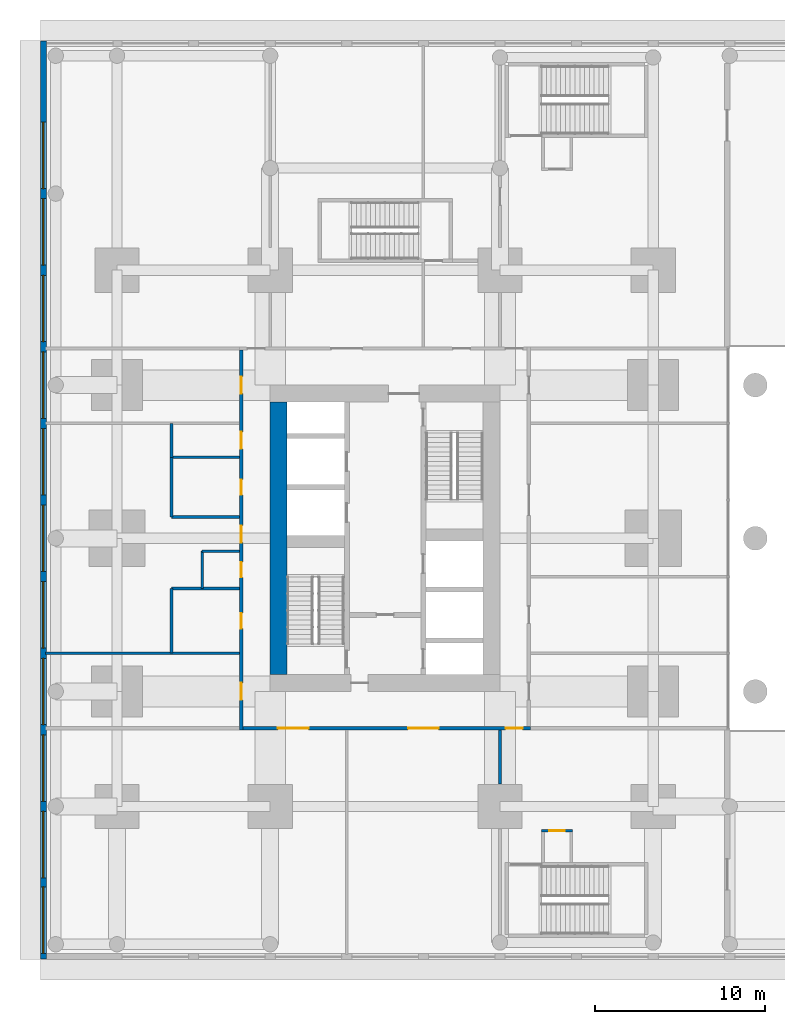
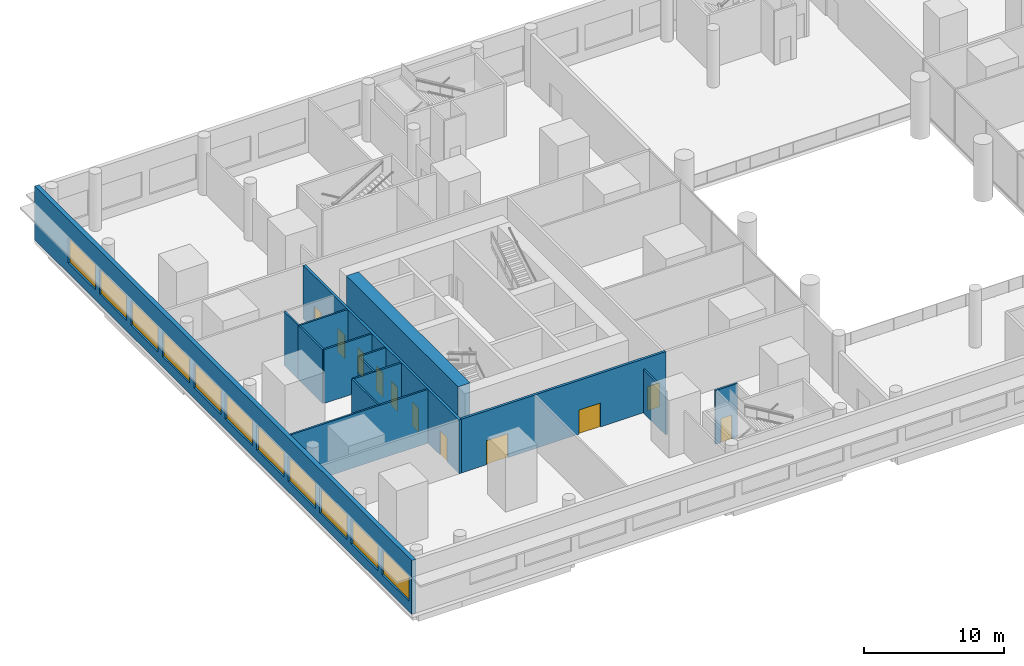
# One storey, part 10 of 22: 15 walls, 11 doors, 11 windows, 22 openings.
"""IFC4 building model written with IfcOpenShell, lengths in metres."""

from ifc_helpers import new_model, si_unit, direction, frame, frame_2d, origin, place, context, subcontext, project, spatial, rectangle, extrude, material, layer, layer_set, type_object, element, fill, save


model = new_model("IFC4")

# Units and contexts
model_context = context("Model", 3, precision=1e-05, world=origin(), true_north=direction((0.0, 1.0)))
body_context = subcontext(model_context, "Body", "Model", "MODEL_VIEW")
ifc_project = project(units=[si_unit("LENGTHUNIT", "METRE"), si_unit("AREAUNIT", "SQUARE_METRE"), si_unit("VOLUMEUNIT", "CUBIC_METRE"), si_unit("PLANEANGLEUNIT", "RADIAN"), si_unit("MASSUNIT", "GRAM", prefix="KILO")], contexts=[model_context])

# Site, building, storey
site_placement = place(None, origin())
site = spatial("IfcSite", under=ifc_project, at=site_placement, CompositionType="ELEMENT")
building_placement = place(site_placement, origin())
building = spatial("IfcBuilding", under=site, at=building_placement, Name="Namib Vertical Campus", CompositionType="ELEMENT")
storey_placement = place(building_placement, frame((0.0, 0.0, 11.0)))
storey = spatial("IfcBuildingStorey", under=building, at=storey_placement, Name="L02", CompositionType="ELEMENT", Elevation=11.0)

# Wall
ifc_material_1 = material(Name="Concrete C60/75", Category="concrete")
ifc_layer_1 = layer(ifc_material_1, 1.0)
ifc_layer_set_1 = layer_set([ifc_layer_1], Name="Concrete C60/75")
wall_type_1 = type_object("IfcWallType", Name="Core wall 1000", PredefinedType="SHEAR", material=ifc_layer_set_1)
wall_1_placement = place(storey_placement, frame((14.0, 28.25, 0.0), z_axis=(0.0, 0.0, 1.0), x_axis=(0.0, -1.0, 0.0)))
element("IfcWall", 1, at=wall_1_placement, inside=storey, type_object=wall_type_1, Name="Core wall A L02 4", PredefinedType="SHEAR", context=body_context, shape_type="SweptSolid", body=[
    extrude(rectangle(XDim=16.0, YDim=1.0, at=frame_2d((8.0, 0.0))), origin(), (0.0, 0.0, 1.0), 5.0),
])

# Wall, openings, doors
ifc_material_2 = material(Name="Concrete masonry", Category="masonry")
ifc_layer_2 = layer(ifc_material_2, 0.199951171875)
ifc_layer_set_2 = layer_set([ifc_layer_2], Name="Corridor wall 200")
wall_type_2 = type_object("IfcWallType", Name="Corridor wall 200", PredefinedType="SOLIDWALL", material=ifc_layer_set_2)
wall_2_placement = place(storey_placement, frame((11.89990234375, 9.10009765625, 0.0), z_axis=(0.0, 0.0, 1.0), x_axis=(1.0, 0.0, 0.0)))
wall_2 = element("IfcWall", 2, at=wall_2_placement, inside=storey, type_object=wall_type_2, Name="Corridor wall A L02 CS", PredefinedType="SOLIDWALL", context=body_context, shape_type="SweptSolid", body=[
    extrude(rectangle(XDim=16.900146484375, YDim=0.199951171875, at=frame_2d((8.4501953125, 0.0))), origin(), (0.0, 0.0, 1.0), 4.699951171875),
])
opening_1_placement = place(wall_2_placement, frame((2.050048828125, 0.0, 0.0)))
opening_1 = element("IfcOpeningElement", 3, at=opening_1_placement, cuts=wall_2, Name="Opening CD2", PredefinedType="OPENING", context=body_context, shape_type="SweptSolid", body=[
    extrude(rectangle(XDim=1.800048828125, YDim=2.10009765625, at=frame_2d((0.89990234375, 1.050048828125))), frame((0.0, 0.10986328125, 0.0), z_axis=(0.0, -1.0, 0.0), x_axis=(1.0, 0.0, 0.0)), (0.0, 0.0, 1.0), 0.219970703125),
])
opening_2_placement = place(wall_2_placement, frame((9.699951171875, 0.0, 0.0)))
opening_2 = element("IfcOpeningElement", 4, at=opening_2_placement, cuts=wall_2, Name="Opening CD2", PredefinedType="OPENING", context=body_context, shape_type="SweptSolid", body=[
    extrude(rectangle(XDim=1.800048828125, YDim=2.10009765625, at=frame_2d((0.89990234375, 1.050048828125))), frame((0.0, 0.10986328125, 0.0), z_axis=(0.0, -1.0, 0.0), x_axis=(1.0, 0.0, 0.0)), (0.0, 0.0, 1.0), 0.219970703125),
])
opening_3_placement = place(wall_2_placement, frame((15.425048828125, 0.0, 0.0)))
opening_3 = element("IfcOpeningElement", 5, at=opening_3_placement, cuts=wall_2, Name="Opening CD1", PredefinedType="OPENING", context=body_context, shape_type="SweptSolid", body=[
    extrude(rectangle(XDim=1.0, YDim=2.10009765625, at=frame_2d((0.5, 1.050048828125))), frame((0.0, 0.10986328125, 0.0), z_axis=(0.0, -1.0, 0.0), x_axis=(1.0, 0.0, 0.0)), (0.0, 0.0, 1.0), 0.219970703125),
])
ifc_material_3 = material(Name="Timber fire door leaf", Category="wood")
door_type_1 = type_object("IfcDoorType", Name="Corridor door 1000x2100 20 min", OperationType="SINGLE_SWING_LEFT", PredefinedType="DOOR", material=ifc_material_3)
door_1_placement = place(opening_3_placement, frame((1.0, 0.0, 0.0), z_axis=(0.0, 0.0, 1.0), x_axis=(-1.0, 0.0, 0.0)))
door_1 = element("IfcDoor", 6, at=door_1_placement, inside=storey, type_object=door_type_1, Name="Door CD1 A02-03", OperationType="SINGLE_SWING_RIGHT", OverallHeight=2.10009765625, OverallWidth=1.0, PredefinedType="DOOR", context=body_context, shape_type="SweptSolid", body=[
    extrude(rectangle(XDim=1.0, YDim=2.10009765625, at=frame_2d((0.5, 1.050048828125))), frame((0.0, 0.02490234375, 0.0), z_axis=(0.0, -1.0, 0.0), x_axis=(1.0, 0.0, 0.0)), (0.0, 0.0, 1.0), 0.050048828125),
])
fill(opening_3, door_1)
ifc_material_4 = material(Name="Timber fire door leaf", Category="wood")
door_type_2 = type_object("IfcDoorType", Name="Corridor door double 1800x2100 20 min", OperationType="DOUBLE_DOOR_SINGLE_SWING", PredefinedType="DOOR", material=ifc_material_4)
door_2_placement = place(opening_1_placement, frame((1.800048828125, 0.0, 0.0), z_axis=(0.0, 0.0, 1.0), x_axis=(-1.0, 0.0, 0.0)))
door_2 = element("IfcDoor", 7, at=door_2_placement, inside=storey, type_object=door_type_2, Name="Door CD2 A02-01", OperationType="DOUBLE_DOOR_SINGLE_SWING", OverallHeight=2.10009765625, OverallWidth=1.800048828125, PredefinedType="DOOR", context=body_context, shape_type="SweptSolid", body=[
    extrude(rectangle(XDim=1.800048828125, YDim=2.10009765625, at=frame_2d((0.89990234375, 1.050048828125))), frame((0.0, 0.02490234375, 0.0), z_axis=(0.0, -1.0, 0.0), x_axis=(1.0, 0.0, 0.0)), (0.0, 0.0, 1.0), 0.050048828125),
])
fill(opening_1, door_2)
door_3_placement = place(opening_2_placement, frame((1.800048828125, 0.0, 0.0), z_axis=(0.0, 0.0, 1.0), x_axis=(-1.0, 0.0, 0.0)))
door_3 = element("IfcDoor", 8, at=door_3_placement, inside=storey, type_object=door_type_2, Name="Door CD2 A02-02", OperationType="DOUBLE_DOOR_SINGLE_SWING", OverallHeight=2.10009765625, OverallWidth=1.800048828125, PredefinedType="DOOR", context=body_context, shape_type="SweptSolid", body=[
    extrude(rectangle(XDim=1.800048828125, YDim=2.10009765625, at=frame_2d((0.89990234375, 1.050048828125))), frame((0.0, 0.02490234375, 0.0), z_axis=(0.0, -1.0, 0.0), x_axis=(1.0, 0.0, 0.0)), (0.0, 0.0, 1.0), 0.050048828125),
])
fill(opening_2, door_3)

wall_3_placement = place(storey_placement, frame((11.800048828125, 31.300048828125, 0.0), z_axis=(0.0, 0.0, 1.0), x_axis=(0.0, -1.0, 0.0)))
wall_3 = element("IfcWall", 9, at=wall_3_placement, inside=storey, type_object=wall_type_2, Name="Corridor wall A L02 CW", PredefinedType="SOLIDWALL", context=body_context, shape_type="SweptSolid", body=[
    extrude(rectangle(XDim=22.300048828125, YDim=0.199951171875, at=frame_2d((11.14990234375, 0.0))), origin(), (0.0, 0.0, 1.0), 4.699951171875),
])
opening_4_placement = place(wall_3_placement, frame((19.550048828125, 0.0, 0.0)))
opening_4 = element("IfcOpeningElement", 10, at=opening_4_placement, cuts=wall_3, Name="Opening CD1", PredefinedType="OPENING", context=body_context, shape_type="SweptSolid", body=[
    extrude(rectangle(XDim=1.0, YDim=2.10009765625, at=frame_2d((0.5, 1.050048828125))), frame((0.0, 0.10986328125, 0.0), z_axis=(0.0, -1.0, 0.0), x_axis=(1.0, 0.0, 0.0)), (0.0, 0.0, 1.0), 0.219970703125),
])
opening_5_placement = place(wall_3_placement, frame((15.449951171875, 0.0, 0.0)))
opening_5 = element("IfcOpeningElement", 11, at=opening_5_placement, cuts=wall_3, Name="Opening CD3", PredefinedType="OPENING", context=body_context, shape_type="SweptSolid", body=[
    extrude(rectangle(XDim=0.89990234375, YDim=2.10009765625, at=frame_2d((0.449951171875, 1.050048828125))), frame((0.0, 0.10986328125, 0.0), z_axis=(0.0, -1.0, 0.0), x_axis=(1.0, 0.0, 0.0)), (0.0, 0.0, 1.0), 0.219970703125),
])
opening_6_placement = place(wall_3_placement, frame((12.449951171875, 0.0, 0.0)))
opening_6 = element("IfcOpeningElement", 12, at=opening_6_placement, cuts=wall_3, Name="Opening CD3", PredefinedType="OPENING", context=body_context, shape_type="SweptSolid", body=[
    extrude(rectangle(XDim=0.89990234375, YDim=2.10009765625, at=frame_2d((0.449951171875, 1.050048828125))), frame((0.0, 0.10986328125, 0.0), z_axis=(0.0, -1.0, 0.0), x_axis=(1.0, 0.0, 0.0)), (0.0, 0.0, 1.0), 0.219970703125),
])
opening_7_placement = place(wall_3_placement, frame((7.60009765625, 0.0, 0.0)))
opening_7 = element("IfcOpeningElement", 13, at=opening_7_placement, cuts=wall_3, Name="Opening CD3", PredefinedType="OPENING", context=body_context, shape_type="SweptSolid", body=[
    extrude(rectangle(XDim=0.89990234375, YDim=2.10009765625, at=frame_2d((0.449951171875, 1.050048828125))), frame((0.0, 0.10986328125, 0.0), z_axis=(0.0, -1.0, 0.0), x_axis=(1.0, 0.0, 0.0)), (0.0, 0.0, 1.0), 0.219970703125),
])
opening_8_placement = place(wall_3_placement, frame((4.800048828125, 0.0, 0.0)))
opening_8 = element("IfcOpeningElement", 14, at=opening_8_placement, cuts=wall_3, Name="Opening CD1", PredefinedType="OPENING", context=body_context, shape_type="SweptSolid", body=[
    extrude(rectangle(XDim=1.0, YDim=2.10009765625, at=frame_2d((0.5, 1.050048828125))), frame((0.0, 0.10986328125, 0.0), z_axis=(0.0, -1.0, 0.0), x_axis=(1.0, 0.0, 0.0)), (0.0, 0.0, 1.0), 0.219970703125),
])
opening_9_placement = place(wall_3_placement, frame((10.300048828125, 0.0, 0.0)))
opening_9 = element("IfcOpeningElement", 15, at=opening_9_placement, cuts=wall_3, Name="Opening CD1", PredefinedType="OPENING", context=body_context, shape_type="SweptSolid", body=[
    extrude(rectangle(XDim=1.0, YDim=2.10009765625, at=frame_2d((0.5, 1.050048828125))), frame((0.0, 0.10986328125, 0.0), z_axis=(0.0, -1.0, 0.0), x_axis=(1.0, 0.0, 0.0)), (0.0, 0.0, 1.0), 0.219970703125),
])
opening_10_placement = place(wall_3_placement, frame((1.550048828125, 0.0, 0.0)))
opening_10 = element("IfcOpeningElement", 16, at=opening_10_placement, cuts=wall_3, Name="Opening CD1", PredefinedType="OPENING", context=body_context, shape_type="SweptSolid", body=[
    extrude(rectangle(XDim=1.0, YDim=2.10009765625, at=frame_2d((0.5, 1.050048828125))), frame((0.0, 0.10986328125, 0.0), z_axis=(0.0, -1.0, 0.0), x_axis=(1.0, 0.0, 0.0)), (0.0, 0.0, 1.0), 0.219970703125),
])
door_4_placement = place(opening_4_placement, frame((1.0, 0.0, 0.0), z_axis=(0.0, 0.0, 1.0), x_axis=(-1.0, 0.0, 0.0)))
door_4 = element("IfcDoor", 17, at=door_4_placement, inside=storey, type_object=door_type_1, Name="Door CD1 A02-12", OperationType="SINGLE_SWING_RIGHT", OverallHeight=2.10009765625, OverallWidth=1.0, PredefinedType="DOOR", context=body_context, shape_type="SweptSolid", body=[
    extrude(rectangle(XDim=1.0, YDim=2.10009765625, at=frame_2d((0.5, 1.050048828125))), frame((0.0, 0.02490234375, 0.0), z_axis=(0.0, -1.0, 0.0), x_axis=(1.0, 0.0, 0.0)), (0.0, 0.0, 1.0), 0.050048828125),
])
fill(opening_4, door_4)
door_5_placement = place(opening_8_placement, frame((1.0, 0.0, 0.0), z_axis=(0.0, 0.0, 1.0), x_axis=(-1.0, 0.0, 0.0)))
door_5 = element("IfcDoor", 18, at=door_5_placement, inside=storey, type_object=door_type_1, Name="Door CD1 A02-16", OperationType="SINGLE_SWING_RIGHT", OverallHeight=2.10009765625, OverallWidth=1.0, PredefinedType="DOOR", context=body_context, shape_type="SweptSolid", body=[
    extrude(rectangle(XDim=1.0, YDim=2.10009765625, at=frame_2d((0.5, 1.050048828125))), frame((0.0, 0.02490234375, 0.0), z_axis=(0.0, -1.0, 0.0), x_axis=(1.0, 0.0, 0.0)), (0.0, 0.0, 1.0), 0.050048828125),
])
fill(opening_8, door_5)
door_6_placement = place(opening_9_placement, frame((1.0, 0.0, 0.0), z_axis=(0.0, 0.0, 1.0), x_axis=(-1.0, 0.0, 0.0)))
door_6 = element("IfcDoor", 19, at=door_6_placement, inside=storey, type_object=door_type_1, Name="Door CD1 A02-17", OperationType="SINGLE_SWING_RIGHT", OverallHeight=2.10009765625, OverallWidth=1.0, PredefinedType="DOOR", context=body_context, shape_type="SweptSolid", body=[
    extrude(rectangle(XDim=1.0, YDim=2.10009765625, at=frame_2d((0.5, 1.050048828125))), frame((0.0, 0.02490234375, 0.0), z_axis=(0.0, -1.0, 0.0), x_axis=(1.0, 0.0, 0.0)), (0.0, 0.0, 1.0), 0.050048828125),
])
fill(opening_9, door_6)
door_7_placement = place(opening_10_placement, frame((1.0, 0.0, 0.0), z_axis=(0.0, 0.0, 1.0), x_axis=(-1.0, 0.0, 0.0)))
door_7 = element("IfcDoor", 20, at=door_7_placement, inside=storey, type_object=door_type_1, Name="Door CD1 A02-18", OperationType="SINGLE_SWING_RIGHT", OverallHeight=2.10009765625, OverallWidth=1.0, PredefinedType="DOOR", context=body_context, shape_type="SweptSolid", body=[
    extrude(rectangle(XDim=1.0, YDim=2.10009765625, at=frame_2d((0.5, 1.050048828125))), frame((0.0, 0.02490234375, 0.0), z_axis=(0.0, -1.0, 0.0), x_axis=(1.0, 0.0, 0.0)), (0.0, 0.0, 1.0), 0.050048828125),
])
fill(opening_10, door_7)
ifc_material_5 = material(Name="Timber fire door leaf", Category="wood")
door_type_3 = type_object("IfcDoorType", Name="Corridor toilet door 900x2100 20 min", OperationType="SINGLE_SWING_LEFT", PredefinedType="DOOR", material=ifc_material_5)
door_8_placement = place(opening_5_placement, frame((0.89990234375, 0.0, 0.0), z_axis=(0.0, 0.0, 1.0), x_axis=(-1.0, 0.0, 0.0)))
door_8 = element("IfcDoor", 21, at=door_8_placement, inside=storey, type_object=door_type_3, Name="Door CD3 A02-13", OperationType="SINGLE_SWING_RIGHT", OverallHeight=2.10009765625, OverallWidth=0.89990234375, PredefinedType="DOOR", context=body_context, shape_type="SweptSolid", body=[
    extrude(rectangle(XDim=0.89990234375, YDim=2.10009765625, at=frame_2d((0.449951171875, 1.050048828125))), frame((0.0, 0.02490234375, 0.0), z_axis=(0.0, -1.0, 0.0), x_axis=(1.0, 0.0, 0.0)), (0.0, 0.0, 1.0), 0.050048828125),
])
fill(opening_5, door_8)
door_9_placement = place(opening_6_placement, frame((0.89990234375, 0.0, 0.0), z_axis=(0.0, 0.0, 1.0), x_axis=(-1.0, 0.0, 0.0)))
door_9 = element("IfcDoor", 22, at=door_9_placement, inside=storey, type_object=door_type_3, Name="Door CD3 A02-14", OperationType="SINGLE_SWING_RIGHT", OverallHeight=2.10009765625, OverallWidth=0.89990234375, PredefinedType="DOOR", context=body_context, shape_type="SweptSolid", body=[
    extrude(rectangle(XDim=0.89990234375, YDim=2.10009765625, at=frame_2d((0.449951171875, 1.050048828125))), frame((0.0, 0.02490234375, 0.0), z_axis=(0.0, -1.0, 0.0), x_axis=(1.0, 0.0, 0.0)), (0.0, 0.0, 1.0), 0.050048828125),
])
fill(opening_6, door_9)
door_10_placement = place(opening_7_placement, frame((0.89990234375, 0.0, 0.0), z_axis=(0.0, 0.0, 1.0), x_axis=(-1.0, 0.0, 0.0)))
door_10 = element("IfcDoor", 23, at=door_10_placement, inside=storey, type_object=door_type_3, Name="Door CD3 A02-15", OperationType="SINGLE_SWING_RIGHT", OverallHeight=2.10009765625, OverallWidth=0.89990234375, PredefinedType="DOOR", context=body_context, shape_type="SweptSolid", body=[
    extrude(rectangle(XDim=0.89990234375, YDim=2.10009765625, at=frame_2d((0.449951171875, 1.050048828125))), frame((0.0, 0.02490234375, 0.0), z_axis=(0.0, -1.0, 0.0), x_axis=(1.0, 0.0, 0.0)), (0.0, 0.0, 1.0), 0.050048828125),
])
fill(opening_7, door_10)

# Wall, openings, windows
ifc_material_6 = material(Name="Concrete C40/50", Category="concrete")
ifc_layer_3 = layer(ifc_material_6, 0.35009765625)
ifc_layer_set_3 = layer_set([ifc_layer_3], Name="Concrete C40/50")
wall_type_3 = type_object("IfcWallType", Name="External wall 350 bush-hammered concrete", PredefinedType="STANDARD", material=ifc_layer_set_3)
wall_4_placement = place(storey_placement, frame((0.175048828125, 49.47998046875, 0.0), z_axis=(0.0, 0.0, 1.0), x_axis=(0.0, -1.0, 0.0)))
wall_4 = element("IfcWall", 24, at=wall_4_placement, inside=storey, type_object=wall_type_3, Name="External wall L02 F4", PredefinedType="STANDARD", context=body_context, shape_type="SweptSolid", body=[
    extrude(rectangle(XDim=53.9599609375, YDim=0.35009765625, at=frame_2d((26.97998046875, 0.0))), origin(), (0.0, 0.0, 1.0), 4.699951171875),
])
opening_11_placement = place(wall_4_placement, frame((49.7099609375, 0.0, 0.89990234375)))
opening_11 = element("IfcOpeningElement", 25, at=opening_11_placement, cuts=wall_4, Name="Opening W1", PredefinedType="OPENING", context=body_context, shape_type="SweptSolid", body=[
    extrude(rectangle(XDim=3.89990234375, YDim=2.199951171875, at=frame_2d((1.949951171875, 1.10009765625))), frame((0.0, 0.18505859375, 0.0), z_axis=(0.0, -1.0, 0.0), x_axis=(1.0, 0.0, 0.0)), (0.0, 0.0, 1.0), 0.3701171875),
])
opening_12_placement = place(wall_4_placement, frame((45.280029296875, 0.0, 0.89990234375)))
opening_12 = element("IfcOpeningElement", 26, at=opening_12_placement, cuts=wall_4, Name="Opening W1", PredefinedType="OPENING", context=body_context, shape_type="SweptSolid", body=[
    extrude(rectangle(XDim=3.89990234375, YDim=2.199951171875, at=frame_2d((1.949951171875, 1.10009765625))), frame((0.0, 0.18505859375, 0.0), z_axis=(0.0, -1.0, 0.0), x_axis=(1.0, 0.0, 0.0)), (0.0, 0.0, 1.0), 0.3701171875),
])
opening_13_placement = place(wall_4_placement, frame((40.780029296875, 0.0, 0.89990234375)))
opening_13 = element("IfcOpeningElement", 27, at=opening_13_placement, cuts=wall_4, Name="Opening W1", PredefinedType="OPENING", context=body_context, shape_type="SweptSolid", body=[
    extrude(rectangle(XDim=3.89990234375, YDim=2.199951171875, at=frame_2d((1.949951171875, 1.10009765625))), frame((0.0, 0.18505859375, 0.0), z_axis=(0.0, -1.0, 0.0), x_axis=(1.0, 0.0, 0.0)), (0.0, 0.0, 1.0), 0.3701171875),
])
opening_14_placement = place(wall_4_placement, frame((36.280029296875, 0.0, 0.89990234375)))
opening_14 = element("IfcOpeningElement", 28, at=opening_14_placement, cuts=wall_4, Name="Opening W1", PredefinedType="OPENING", context=body_context, shape_type="SweptSolid", body=[
    extrude(rectangle(XDim=3.89990234375, YDim=2.199951171875, at=frame_2d((1.949951171875, 1.10009765625))), frame((0.0, 0.18505859375, 0.0), z_axis=(0.0, -1.0, 0.0), x_axis=(1.0, 0.0, 0.0)), (0.0, 0.0, 1.0), 0.3701171875),
])
opening_15_placement = place(wall_4_placement, frame((31.780029296875, 0.0, 0.89990234375)))
opening_15 = element("IfcOpeningElement", 29, at=opening_15_placement, cuts=wall_4, Name="Opening W1", PredefinedType="OPENING", context=body_context, shape_type="SweptSolid", body=[
    extrude(rectangle(XDim=3.89990234375, YDim=2.199951171875, at=frame_2d((1.949951171875, 1.10009765625))), frame((0.0, 0.18505859375, 0.0), z_axis=(0.0, -1.0, 0.0), x_axis=(1.0, 0.0, 0.0)), (0.0, 0.0, 1.0), 0.3701171875),
])
opening_16_placement = place(wall_4_placement, frame((27.280029296875, 0.0, 0.89990234375)))
opening_16 = element("IfcOpeningElement", 30, at=opening_16_placement, cuts=wall_4, Name="Opening W1", PredefinedType="OPENING", context=body_context, shape_type="SweptSolid", body=[
    extrude(rectangle(XDim=3.89990234375, YDim=2.199951171875, at=frame_2d((1.949951171875, 1.10009765625))), frame((0.0, 0.18505859375, 0.0), z_axis=(0.0, -1.0, 0.0), x_axis=(1.0, 0.0, 0.0)), (0.0, 0.0, 1.0), 0.3701171875),
])
opening_17_placement = place(wall_4_placement, frame((22.780029296875, 0.0, 0.89990234375)))
opening_17 = element("IfcOpeningElement", 31, at=opening_17_placement, cuts=wall_4, Name="Opening W1", PredefinedType="OPENING", context=body_context, shape_type="SweptSolid", body=[
    extrude(rectangle(XDim=3.89990234375, YDim=2.199951171875, at=frame_2d((1.949951171875, 1.10009765625))), frame((0.0, 0.18505859375, 0.0), z_axis=(0.0, -1.0, 0.0), x_axis=(1.0, 0.0, 0.0)), (0.0, 0.0, 1.0), 0.3701171875),
])
opening_18_placement = place(wall_4_placement, frame((18.280029296875, 0.0, 0.89990234375)))
opening_18 = element("IfcOpeningElement", 32, at=opening_18_placement, cuts=wall_4, Name="Opening W1", PredefinedType="OPENING", context=body_context, shape_type="SweptSolid", body=[
    extrude(rectangle(XDim=3.89990234375, YDim=2.199951171875, at=frame_2d((1.949951171875, 1.10009765625))), frame((0.0, 0.18505859375, 0.0), z_axis=(0.0, -1.0, 0.0), x_axis=(1.0, 0.0, 0.0)), (0.0, 0.0, 1.0), 0.3701171875),
])
opening_19_placement = place(wall_4_placement, frame((13.780029296875, 0.0, 0.89990234375)))
opening_19 = element("IfcOpeningElement", 33, at=opening_19_placement, cuts=wall_4, Name="Opening W1", PredefinedType="OPENING", context=body_context, shape_type="SweptSolid", body=[
    extrude(rectangle(XDim=3.89990234375, YDim=2.199951171875, at=frame_2d((1.949951171875, 1.10009765625))), frame((0.0, 0.18505859375, 0.0), z_axis=(0.0, -1.0, 0.0), x_axis=(1.0, 0.0, 0.0)), (0.0, 0.0, 1.0), 0.3701171875),
])
opening_20_placement = place(wall_4_placement, frame((9.280029296875, 0.0, 0.89990234375)))
opening_20 = element("IfcOpeningElement", 34, at=opening_20_placement, cuts=wall_4, Name="Opening W1", PredefinedType="OPENING", context=body_context, shape_type="SweptSolid", body=[
    extrude(rectangle(XDim=3.89990234375, YDim=2.199951171875, at=frame_2d((1.949951171875, 1.10009765625))), frame((0.0, 0.18505859375, 0.0), z_axis=(0.0, -1.0, 0.0), x_axis=(1.0, 0.0, 0.0)), (0.0, 0.0, 1.0), 0.3701171875),
])
opening_21_placement = place(wall_4_placement, frame((4.780029296875, 0.0, 0.89990234375)))
opening_21 = element("IfcOpeningElement", 35, at=opening_21_placement, cuts=wall_4, Name="Opening W1", PredefinedType="OPENING", context=body_context, shape_type="SweptSolid", body=[
    extrude(rectangle(XDim=3.89990234375, YDim=2.199951171875, at=frame_2d((1.949951171875, 1.10009765625))), frame((0.0, 0.18505859375, 0.0), z_axis=(0.0, -1.0, 0.0), x_axis=(1.0, 0.0, 0.0)), (0.0, 0.0, 1.0), 0.3701171875),
])
ifc_material_7 = material(Name="Dark tinted glass in black aluminium frame", Category="aluminium")
window_type = type_object("IfcWindowType", Name="Ribbon window 3900x2200", PartitioningType="SINGLE_PANEL", PredefinedType="WINDOW", material=ifc_material_7)
window_1_placement = place(opening_11_placement, origin())
window_1 = element("IfcWindow", 36, at=window_1_placement, inside=storey, type_object=window_type, Name="Window W1 L02 F4-1", OverallHeight=2.199951171875, OverallWidth=3.89990234375, PartitioningType="SINGLE_PANEL", PredefinedType="WINDOW", context=body_context, shape_type="SweptSolid", body=[
    extrude(rectangle(XDim=3.89990234375, YDim=2.199951171875, at=frame_2d((1.949951171875, 1.10009765625))), frame((0.0, 0.030029296875, 0.0), z_axis=(0.0, -1.0, 0.0), x_axis=(1.0, 0.0, 0.0)), (0.0, 0.0, 1.0), 0.06005859375),
])
fill(opening_11, window_1)
window_2_placement = place(opening_12_placement, origin())
window_2 = element("IfcWindow", 37, at=window_2_placement, inside=storey, type_object=window_type, Name="Window W1 L02 F4-2", OverallHeight=2.199951171875, OverallWidth=3.89990234375, PartitioningType="SINGLE_PANEL", PredefinedType="WINDOW", context=body_context, shape_type="SweptSolid", body=[
    extrude(rectangle(XDim=3.89990234375, YDim=2.199951171875, at=frame_2d((1.949951171875, 1.10009765625))), frame((0.0, 0.030029296875, 0.0), z_axis=(0.0, -1.0, 0.0), x_axis=(1.0, 0.0, 0.0)), (0.0, 0.0, 1.0), 0.06005859375),
])
fill(opening_12, window_2)
window_3_placement = place(opening_13_placement, origin())
window_3 = element("IfcWindow", 38, at=window_3_placement, inside=storey, type_object=window_type, Name="Window W1 L02 F4-3", OverallHeight=2.199951171875, OverallWidth=3.89990234375, PartitioningType="SINGLE_PANEL", PredefinedType="WINDOW", context=body_context, shape_type="SweptSolid", body=[
    extrude(rectangle(XDim=3.89990234375, YDim=2.199951171875, at=frame_2d((1.949951171875, 1.10009765625))), frame((0.0, 0.030029296875, 0.0), z_axis=(0.0, -1.0, 0.0), x_axis=(1.0, 0.0, 0.0)), (0.0, 0.0, 1.0), 0.06005859375),
])
fill(opening_13, window_3)
window_4_placement = place(opening_14_placement, origin())
window_4 = element("IfcWindow", 39, at=window_4_placement, inside=storey, type_object=window_type, Name="Window W1 L02 F4-4", OverallHeight=2.199951171875, OverallWidth=3.89990234375, PartitioningType="SINGLE_PANEL", PredefinedType="WINDOW", context=body_context, shape_type="SweptSolid", body=[
    extrude(rectangle(XDim=3.89990234375, YDim=2.199951171875, at=frame_2d((1.949951171875, 1.10009765625))), frame((0.0, 0.030029296875, 0.0), z_axis=(0.0, -1.0, 0.0), x_axis=(1.0, 0.0, 0.0)), (0.0, 0.0, 1.0), 0.06005859375),
])
fill(opening_14, window_4)
window_5_placement = place(opening_15_placement, origin())
window_5 = element("IfcWindow", 40, at=window_5_placement, inside=storey, type_object=window_type, Name="Window W1 L02 F4-5", OverallHeight=2.199951171875, OverallWidth=3.89990234375, PartitioningType="SINGLE_PANEL", PredefinedType="WINDOW", context=body_context, shape_type="SweptSolid", body=[
    extrude(rectangle(XDim=3.89990234375, YDim=2.199951171875, at=frame_2d((1.949951171875, 1.10009765625))), frame((0.0, 0.030029296875, 0.0), z_axis=(0.0, -1.0, 0.0), x_axis=(1.0, 0.0, 0.0)), (0.0, 0.0, 1.0), 0.06005859375),
])
fill(opening_15, window_5)
window_6_placement = place(opening_16_placement, origin())
window_6 = element("IfcWindow", 41, at=window_6_placement, inside=storey, type_object=window_type, Name="Window W1 L02 F4-6", OverallHeight=2.199951171875, OverallWidth=3.89990234375, PartitioningType="SINGLE_PANEL", PredefinedType="WINDOW", context=body_context, shape_type="SweptSolid", body=[
    extrude(rectangle(XDim=3.89990234375, YDim=2.199951171875, at=frame_2d((1.949951171875, 1.10009765625))), frame((0.0, 0.030029296875, 0.0), z_axis=(0.0, -1.0, 0.0), x_axis=(1.0, 0.0, 0.0)), (0.0, 0.0, 1.0), 0.06005859375),
])
fill(opening_16, window_6)
window_7_placement = place(opening_17_placement, origin())
window_7 = element("IfcWindow", 42, at=window_7_placement, inside=storey, type_object=window_type, Name="Window W1 L02 F4-7", OverallHeight=2.199951171875, OverallWidth=3.89990234375, PartitioningType="SINGLE_PANEL", PredefinedType="WINDOW", context=body_context, shape_type="SweptSolid", body=[
    extrude(rectangle(XDim=3.89990234375, YDim=2.199951171875, at=frame_2d((1.949951171875, 1.10009765625))), frame((0.0, 0.030029296875, 0.0), z_axis=(0.0, -1.0, 0.0), x_axis=(1.0, 0.0, 0.0)), (0.0, 0.0, 1.0), 0.06005859375),
])
fill(opening_17, window_7)
window_8_placement = place(opening_18_placement, origin())
window_8 = element("IfcWindow", 43, at=window_8_placement, inside=storey, type_object=window_type, Name="Window W1 L02 F4-8", OverallHeight=2.199951171875, OverallWidth=3.89990234375, PartitioningType="SINGLE_PANEL", PredefinedType="WINDOW", context=body_context, shape_type="SweptSolid", body=[
    extrude(rectangle(XDim=3.89990234375, YDim=2.199951171875, at=frame_2d((1.949951171875, 1.10009765625))), frame((0.0, 0.030029296875, 0.0), z_axis=(0.0, -1.0, 0.0), x_axis=(1.0, 0.0, 0.0)), (0.0, 0.0, 1.0), 0.06005859375),
])
fill(opening_18, window_8)
window_9_placement = place(opening_19_placement, origin())
window_9 = element("IfcWindow", 44, at=window_9_placement, inside=storey, type_object=window_type, Name="Window W1 L02 F4-9", OverallHeight=2.199951171875, OverallWidth=3.89990234375, PartitioningType="SINGLE_PANEL", PredefinedType="WINDOW", context=body_context, shape_type="SweptSolid", body=[
    extrude(rectangle(XDim=3.89990234375, YDim=2.199951171875, at=frame_2d((1.949951171875, 1.10009765625))), frame((0.0, 0.030029296875, 0.0), z_axis=(0.0, -1.0, 0.0), x_axis=(1.0, 0.0, 0.0)), (0.0, 0.0, 1.0), 0.06005859375),
])
fill(opening_19, window_9)
window_10_placement = place(opening_20_placement, origin())
window_10 = element("IfcWindow", 45, at=window_10_placement, inside=storey, type_object=window_type, Name="Window W1 L02 F4-10", OverallHeight=2.199951171875, OverallWidth=3.89990234375, PartitioningType="SINGLE_PANEL", PredefinedType="WINDOW", context=body_context, shape_type="SweptSolid", body=[
    extrude(rectangle(XDim=3.89990234375, YDim=2.199951171875, at=frame_2d((1.949951171875, 1.10009765625))), frame((0.0, 0.030029296875, 0.0), z_axis=(0.0, -1.0, 0.0), x_axis=(1.0, 0.0, 0.0)), (0.0, 0.0, 1.0), 0.06005859375),
])
fill(opening_20, window_10)
window_11_placement = place(opening_21_placement, origin())
window_11 = element("IfcWindow", 46, at=window_11_placement, inside=storey, type_object=window_type, Name="Window W1 L02 F4-11", OverallHeight=2.199951171875, OverallWidth=3.89990234375, PartitioningType="SINGLE_PANEL", PredefinedType="WINDOW", context=body_context, shape_type="SweptSolid", body=[
    extrude(rectangle(XDim=3.89990234375, YDim=2.199951171875, at=frame_2d((1.949951171875, 1.10009765625))), frame((0.0, 0.030029296875, 0.0), z_axis=(0.0, -1.0, 0.0), x_axis=(1.0, 0.0, 0.0)), (0.0, 0.0, 1.0), 0.06005859375),
])
fill(opening_21, window_11)

# Walls
ifc_material_8 = material(Name="Gypsum board on steel studs", Category="steel")
ifc_layer_4 = layer(ifc_material_8, 0.14990234375)
ifc_layer_set_4 = layer_set([ifc_layer_4], Name="Gypsum board on steel studs")
wall_type_4 = type_object("IfcWallType", Name="Partition 150", PredefinedType="PARTITIONING", material=ifc_layer_set_4)
wall_5_placement = place(storey_placement, frame((27.0, 5.820068359375, 0.0), z_axis=(0.0, 0.0, 1.0), x_axis=(0.0, 1.0, 0.0)))
element("IfcWall", 47, at=wall_5_placement, inside=storey, type_object=wall_type_4, Name="Partition A L02 PS2", PredefinedType="PARTITIONING", context=body_context, shape_type="SweptSolid", body=[
    extrude(rectangle(XDim=3.179931640625, YDim=0.14990234375, at=frame_2d((1.58984375, 0.0))), origin(), (0.0, 0.0, 1.0), 3.800048828125),
])
wall_6_placement = place(storey_placement, frame((0.300048828125, 13.5, 0.0), z_axis=(0.0, 0.0, 1.0), x_axis=(1.0, 0.0, 0.0)))
element("IfcWall", 48, at=wall_6_placement, inside=storey, type_object=wall_type_4, Name="Partition A L02 PW1", PredefinedType="PARTITIONING", context=body_context, shape_type="SweptSolid", body=[
    extrude(rectangle(XDim=11.39990234375, YDim=0.14990234375, at=frame_2d((5.699951171875, 0.0))), origin(), (0.0, 0.0, 1.0), 4.699951171875),
])
wall_7_placement = place(storey_placement, frame((11.699951171875, 17.300048828125, 0.0), z_axis=(0.0, 0.0, 1.0), x_axis=(-1.0, 0.0, 0.0)))
element("IfcWall", 49, at=wall_7_placement, inside=storey, type_object=wall_type_4, Name="Partition A L02 WR1", PredefinedType="PARTITIONING", context=body_context, shape_type="SweptSolid", body=[
    extrude(rectangle(XDim=4.0, YDim=0.14990234375, at=frame_2d((2.0, 0.0))), origin(), (0.0, 0.0, 1.0), 4.699951171875),
])
wall_8_placement = place(storey_placement, frame((11.699951171875, 19.5, 0.0), z_axis=(0.0, 0.0, 1.0), x_axis=(-1.0, 0.0, 0.0)))
element("IfcWall", 50, at=wall_8_placement, inside=storey, type_object=wall_type_4, Name="Partition A L02 WR2", PredefinedType="PARTITIONING", context=body_context, shape_type="SweptSolid", body=[
    extrude(rectangle(XDim=2.199951171875, YDim=0.14990234375, at=frame_2d((1.10009765625, 0.0))), origin(), (0.0, 0.0, 1.0), 4.699951171875),
])
for number, where, z_axis, x_axis, name in (
    (51, (11.699951171875, 21.5, 0.0), (0.0, 0.0, 1.0), (-1.0, 0.0, 0.0), "Partition A L02 WR3"),
    (52, (11.699951171875, 25.0, 0.0), (0.0, 0.0, 1.0), (-1.0, 0.0, 0.0), "Partition A L02 WR4"),
):
    element("IfcWall", number, at=place(storey_placement, frame(where, z_axis=z_axis, x_axis=x_axis)), inside=storey, type_object=wall_type_4, Name=name, PredefinedType="PARTITIONING", context=body_context, shape_type="SweptSolid", body=[
        extrude(rectangle(XDim=4.0, YDim=0.14990234375, at=frame_2d((2.0, 0.0))), origin(), (0.0, 0.0, 1.0), 4.699951171875),
    ])
wall_9_placement = place(storey_placement, frame((7.699951171875, 13.5, 0.0), z_axis=(0.0, 0.0, 1.0), x_axis=(0.0, 1.0, 0.0)))
element("IfcWall", 53, at=wall_9_placement, inside=storey, type_object=wall_type_4, Name="Partition A L02 WB1", PredefinedType="PARTITIONING", context=body_context, shape_type="SweptSolid", body=[
    extrude(rectangle(XDim=3.800048828125, YDim=0.14990234375, at=frame_2d((1.89990234375, 0.0))), origin(), (0.0, 0.0, 1.0), 4.699951171875),
])
wall_10_placement = place(storey_placement, frame((9.5, 17.300048828125, 0.0), z_axis=(0.0, 0.0, 1.0), x_axis=(0.0, 1.0, 0.0)))
element("IfcWall", 54, at=wall_10_placement, inside=storey, type_object=wall_type_4, Name="Partition A L02 WB2", PredefinedType="PARTITIONING", context=body_context, shape_type="SweptSolid", body=[
    extrude(rectangle(XDim=2.199951171875, YDim=0.14990234375, at=frame_2d((1.10009765625, 0.0))), origin(), (0.0, 0.0, 1.0), 4.699951171875),
])
wall_11_placement = place(storey_placement, frame((7.699951171875, 21.5, 0.0), z_axis=(0.0, 0.0, 1.0), x_axis=(0.0, 1.0, 0.0)))
element("IfcWall", 55, at=wall_11_placement, inside=storey, type_object=wall_type_4, Name="Partition A L02 WB3", PredefinedType="PARTITIONING", context=body_context, shape_type="SweptSolid", body=[
    extrude(rectangle(XDim=3.5, YDim=0.14990234375, at=frame_2d((1.75, 0.0))), origin(), (0.0, 0.0, 1.0), 4.699951171875),
])
wall_12_placement = place(storey_placement, frame((7.699951171875, 25.0, 0.0), z_axis=(0.0, 0.0, 1.0), x_axis=(0.0, 1.0, 0.0)))
element("IfcWall", 56, at=wall_12_placement, inside=storey, type_object=wall_type_4, Name="Partition A L02 WB4", PredefinedType="PARTITIONING", context=body_context, shape_type="SweptSolid", body=[
    extrude(rectangle(XDim=2.0, YDim=0.14990234375, at=frame_2d((1.0, 0.0))), origin(), (0.0, 0.0, 1.0), 4.699951171875),
])

# Wall, opening, door
wall_13_placement = place(storey_placement, frame((29.449951171875, 3.074951171875, 0.0), z_axis=(0.0, 0.0, 1.0), x_axis=(1.0, 0.0, 0.0)))
wall_13 = element("IfcWall", 57, at=wall_13_placement, inside=storey, type_object=wall_type_4, Name="Refuge cell partition P-S2 L02", PredefinedType="PARTITIONING", context=body_context, shape_type="SweptSolid", body=[
    extrude(rectangle(XDim=1.800048828125, YDim=0.14990234375, at=frame_2d((0.89990234375, 0.0))), origin(), (0.0, 0.0, 1.0), 4.699951171875),
])
opening_22_placement = place(wall_13_placement, frame((0.449951171875, 0.0, 0.0)))
opening_22 = element("IfcOpeningElement", 58, at=opening_22_placement, cuts=wall_13, Name="Opening RD2", PredefinedType="OPENING", context=body_context, shape_type="SweptSolid", body=[
    extrude(rectangle(XDim=0.89990234375, YDim=2.10009765625, at=frame_2d((0.449951171875, 1.050048828125))), frame((0.0, 0.0849609375, 0.0), z_axis=(0.0, -1.0, 0.0), x_axis=(1.0, 0.0, 0.0)), (0.0, 0.0, 1.0), 0.169921875),
])
ifc_material_9 = material(Name="Timber fire door leaf", Category="wood")
door_type_4 = type_object("IfcDoorType", Name="Refuge cell door 900x2100 30 min", OperationType="SINGLE_SWING_LEFT", PredefinedType="DOOR", material=ifc_material_9)
door_11_placement = place(opening_22_placement, frame((0.89990234375, 0.0, 0.0), z_axis=(0.0, 0.0, 1.0), x_axis=(-1.0, 0.0, 0.0)))
door_11 = element("IfcDoor", 59, at=door_11_placement, inside=storey, type_object=door_type_4, Name="Door RD2 Refuge area P-S2 L02", OperationType="SINGLE_SWING_RIGHT", OverallHeight=2.10009765625, OverallWidth=0.89990234375, PredefinedType="DOOR", context=body_context, shape_type="SweptSolid", body=[
    extrude(rectangle(XDim=0.89990234375, YDim=2.10009765625, at=frame_2d((0.449951171875, 1.050048828125))), frame((0.0, 0.02490234375, 0.0), z_axis=(0.0, -1.0, 0.0), x_axis=(1.0, 0.0, 0.0)), (0.0, 0.0, 1.0), 0.050048828125),
])
fill(opening_22, door_11)

save(model, "model.ifc")
